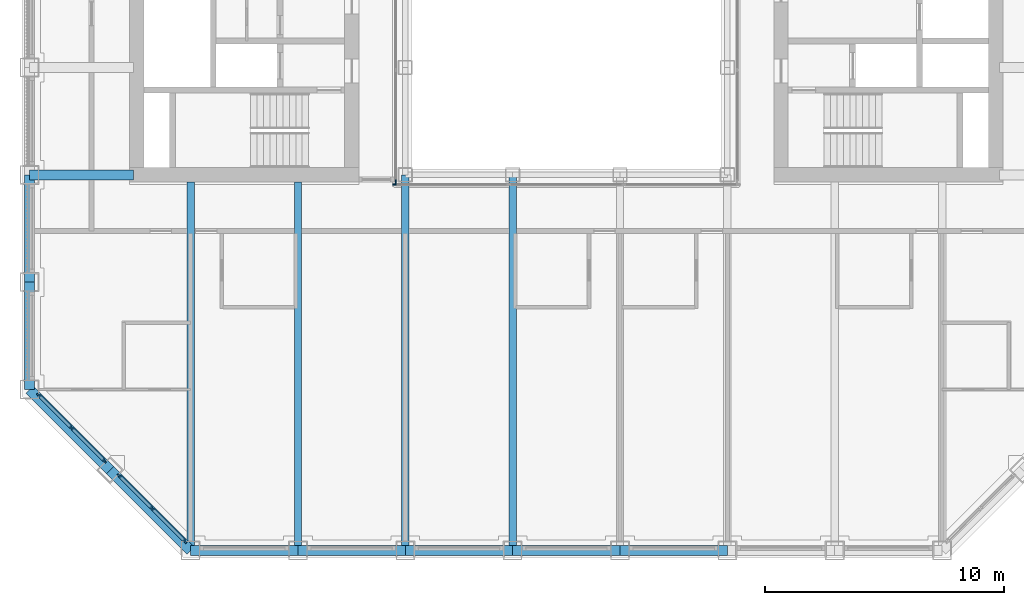
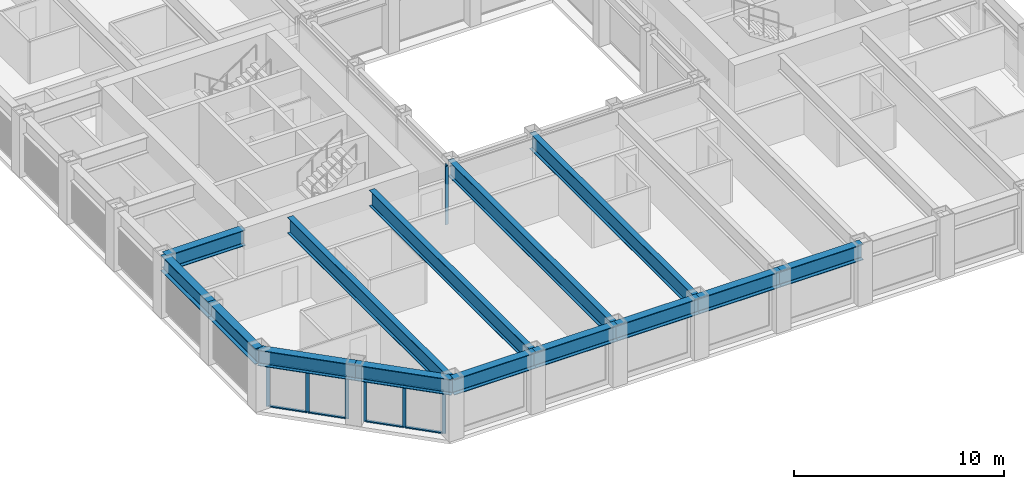
# One storey, part 2 of 17: 16 members, 14 beams, 4 elements without a shape of their own.
"""IFC4 building model written with IfcOpenShell, lengths in metres."""

from ifc_helpers import new_model, si_unit, direction, frame, origin, origin_2d, place, context, subcontext, project, spatial, rectangle, i_section, extrude, material, material_profile, profile_set, type_object, element, aggregate, save


model = new_model("IFC4")

# Units and contexts
model_context = context("Model", 3, precision=1e-05, world=origin(), true_north=direction((0.0, 1.0)))
body_context = subcontext(model_context, "Body", "Model", "MODEL_VIEW")
ifc_project = project(units=[si_unit("LENGTHUNIT", "METRE"), si_unit("AREAUNIT", "SQUARE_METRE"), si_unit("VOLUMEUNIT", "CUBIC_METRE"), si_unit("PLANEANGLEUNIT", "RADIAN"), si_unit("MASSUNIT", "GRAM", prefix="KILO")], contexts=[model_context])

# Site, building, storey
site_placement = place(None, origin())
site = spatial("IfcSite", under=ifc_project, at=site_placement, CompositionType="ELEMENT")
building_placement = place(site_placement, origin())
building = spatial("IfcBuilding", under=site, at=building_placement, Name="Msasa Ring Tower", CompositionType="ELEMENT")
storey_placement = place(building_placement, frame((0.0, 0.0, 161.60009765625)))
storey = spatial("IfcBuildingStorey", under=building, at=storey_placement, Name="L42", CompositionType="ELEMENT", Elevation=161.60009765625)

# Curtain wall, members
ifc_material_1 = material(Name="Aluminium curtain wall with clear glass", Category="aluminium")
curtain_wall_type_1 = type_object("IfcCurtainWallType", Name="CW-C CHAMFER CORNER CURTAIN WALL", PredefinedType="NOTDEFINED", material=ifc_material_1)
curtain_wall_1_placement = place(storey_placement, origin())
curtain_wall_1 = element("IfcCurtainWall", 1, at=curtain_wall_1_placement, inside=storey, type_object=curtain_wall_type_1, Name="Chamfer corner curtain wall SW L42", PredefinedType="NOTDEFINED")
ifc_material_2 = material(Name="Aluminium mullion", Category="aluminium")
ifc_material_profile_1 = material_profile(ifc_material_2, rectangle(XDim=0.06494140625, YDim=0.179931640625, at=origin_2d()), Name="AL 65x180")
ifc_profile_set_1 = profile_set([ifc_material_profile_1], Name="Aluminium mullion")
member_type_1 = type_object("IfcMemberType", Name="CW-C MULLION 65x180", PredefinedType="MULLION", material=ifc_profile_set_1)
member_1_placement = place(storey_placement, frame((-22.119873046875, -15.98876953125, 0.0), z_axis=(0.0, 0.0, 1.0), x_axis=(0.707106781187, 0.707106781187, 0.0)))
member_1 = element("IfcMember", 2, at=member_1_placement, type_object=member_type_1, Name="CW-C mullion 1", PredefinedType="MULLION", context=body_context, shape_type="SweptSolid", body=[
    extrude(rectangle(XDim=0.06494140625, YDim=0.179931640625, at=origin_2d()), origin(), (0.0, 0.0, 1.0), 2.47900390625),
])
member_2_placement = place(storey_placement, frame((-20.74169921875, -17.36669921875, 0.0), z_axis=(0.0, 0.0, 1.0), x_axis=(0.707106781187, 0.707106781187, 0.0)))
member_2 = element("IfcMember", 3, at=member_2_placement, type_object=member_type_1, Name="CW-C mullion 2", PredefinedType="MULLION", context=body_context, shape_type="SweptSolid", body=[
    extrude(rectangle(XDim=0.06494140625, YDim=0.179931640625, at=origin_2d()), origin(), (0.0, 0.0, 1.0), 2.47900390625),
])
member_3_placement = place(storey_placement, frame((-19.36376953125, -18.744873046875, 0.0), z_axis=(0.0, 0.0, 1.0), x_axis=(0.707106781187, 0.707106781187, 0.0)))
member_3 = element("IfcMember", 4, at=member_3_placement, type_object=member_type_1, Name="CW-C mullion 3", PredefinedType="MULLION", context=body_context, shape_type="SweptSolid", body=[
    extrude(rectangle(XDim=0.06494140625, YDim=0.179931640625, at=origin_2d()), origin(), (0.0, 0.0, 1.0), 2.47900390625),
])

curtain_wall_2_placement = place(storey_placement, origin())
curtain_wall_2 = element("IfcCurtainWall", 5, at=curtain_wall_2_placement, inside=storey, type_object=curtain_wall_type_1, Name="Chamfer corner curtain wall SW L42", PredefinedType="NOTDEFINED")
member_4_placement = place(storey_placement, frame((-18.744873046875, -19.36376953125, 0.0), z_axis=(0.0, 0.0, 1.0), x_axis=(0.707106781187, 0.707106781187, 0.0)))
member_4 = element("IfcMember", 6, at=member_4_placement, type_object=member_type_1, Name="CW-C mullion 1", PredefinedType="MULLION", context=body_context, shape_type="SweptSolid", body=[
    extrude(rectangle(XDim=0.06494140625, YDim=0.179931640625, at=origin_2d()), origin(), (0.0, 0.0, 1.0), 2.47900390625),
])
member_5_placement = place(storey_placement, frame((-17.36669921875, -20.74169921875, 0.0), z_axis=(0.0, 0.0, 1.0), x_axis=(0.707106781187, 0.707106781187, 0.0)))
member_5 = element("IfcMember", 7, at=member_5_placement, type_object=member_type_1, Name="CW-C mullion 2", PredefinedType="MULLION", context=body_context, shape_type="SweptSolid", body=[
    extrude(rectangle(XDim=0.06494140625, YDim=0.179931640625, at=origin_2d()), origin(), (0.0, 0.0, 1.0), 2.47900390625),
])
member_6_placement = place(storey_placement, frame((-15.98876953125, -22.119873046875, 0.0), z_axis=(0.0, 0.0, 1.0), x_axis=(0.707106781187, 0.707106781187, 0.0)))
member_6 = element("IfcMember", 8, at=member_6_placement, type_object=member_type_1, Name="CW-C mullion 3", PredefinedType="MULLION", context=body_context, shape_type="SweptSolid", body=[
    extrude(rectangle(XDim=0.06494140625, YDim=0.179931640625, at=origin_2d()), origin(), (0.0, 0.0, 1.0), 2.47900390625),
])

# Member
ifc_material_3 = material(Name="Aluminium transom", Category="aluminium")
ifc_material_profile_2 = material_profile(ifc_material_3, rectangle(XDim=0.139892578125, YDim=0.06494140625, at=origin_2d()), Name="AL 65x140")
ifc_profile_set_2 = profile_set([ifc_material_profile_2], Name="Aluminium transom")
member_type_2 = type_object("IfcMemberType", Name="CW-C TRANSOM 65x140", PredefinedType="USERDEFINED", material=ifc_profile_set_2)
member_7_placement = place(storey_placement, frame((-22.096923828125, -16.01171875, 0.032470703125), z_axis=(0.707106781187, -0.707106781187, 0.0), x_axis=(0.707106781187, 0.707106781187, 0.0)))
member_7 = element("IfcMember", 9, at=member_7_placement, type_object=member_type_2, Name="CW-C transom 1.1", ObjectType="TRANSOM", PredefinedType="USERDEFINED", context=body_context, shape_type="SweptSolid", body=[
    extrude(rectangle(XDim=0.139892578125, YDim=0.06494140625, at=origin_2d()), origin(), (0.0, 0.0, 1.0), 1.8837890625),
])

member_8_placement = place(storey_placement, frame((-22.096923828125, -16.01171875, 2.4462890625), z_axis=(0.707106781187, -0.707106781187, 0.0), x_axis=(0.707106781187, 0.707106781187, 0.0)))
member_8 = element("IfcMember", 10, at=member_8_placement, type_object=member_type_2, Name="CW-C transom 1.2", ObjectType="TRANSOM", PredefinedType="USERDEFINED", context=body_context, shape_type="SweptSolid", body=[
    extrude(rectangle(XDim=0.139892578125, YDim=0.06494140625, at=origin_2d()), origin(), (0.0, 0.0, 1.0), 1.8837890625),
])

member_9_placement = place(storey_placement, frame((-20.71875, -17.389892578125, 0.032470703125), z_axis=(0.707106781187, -0.707106781187, 0.0), x_axis=(0.707106781187, 0.707106781187, 0.0)))
member_9 = element("IfcMember", 11, at=member_9_placement, type_object=member_type_2, Name="CW-C transom 2.1", ObjectType="TRANSOM", PredefinedType="USERDEFINED", context=body_context, shape_type="SweptSolid", body=[
    extrude(rectangle(XDim=0.139892578125, YDim=0.06494140625, at=origin_2d()), origin(), (0.0, 0.0, 1.0), 1.8837890625),
])

member_10_placement = place(storey_placement, frame((-20.71875, -17.389892578125, 2.4462890625), z_axis=(0.707106781187, -0.707106781187, 0.0), x_axis=(0.707106781187, 0.707106781187, 0.0)))
member_10 = element("IfcMember", 12, at=member_10_placement, type_object=member_type_2, Name="CW-C transom 2.2", ObjectType="TRANSOM", PredefinedType="USERDEFINED", context=body_context, shape_type="SweptSolid", body=[
    extrude(rectangle(XDim=0.139892578125, YDim=0.06494140625, at=origin_2d()), origin(), (0.0, 0.0, 1.0), 1.8837890625),
])

aggregate(curtain_wall_1, [member_1, member_2, member_3, member_7, member_8, member_9, member_10])

member_11_placement = place(storey_placement, frame((-18.721923828125, -19.38671875, 0.032470703125), z_axis=(0.707106781187, -0.707106781187, 0.0), x_axis=(0.707106781187, 0.707106781187, 0.0)))
member_11 = element("IfcMember", 13, at=member_11_placement, type_object=member_type_2, Name="CW-C transom 1.1", ObjectType="TRANSOM", PredefinedType="USERDEFINED", context=body_context, shape_type="SweptSolid", body=[
    extrude(rectangle(XDim=0.139892578125, YDim=0.06494140625, at=origin_2d()), origin(), (0.0, 0.0, 1.0), 1.8837890625),
])

member_12_placement = place(storey_placement, frame((-18.721923828125, -19.38671875, 2.4462890625), z_axis=(0.707106781187, -0.707106781187, 0.0), x_axis=(0.707106781187, 0.707106781187, 0.0)))
member_12 = element("IfcMember", 14, at=member_12_placement, type_object=member_type_2, Name="CW-C transom 1.2", ObjectType="TRANSOM", PredefinedType="USERDEFINED", context=body_context, shape_type="SweptSolid", body=[
    extrude(rectangle(XDim=0.139892578125, YDim=0.06494140625, at=origin_2d()), origin(), (0.0, 0.0, 1.0), 1.8837890625),
])

member_13_placement = place(storey_placement, frame((-17.34375, -20.764892578125, 0.032470703125), z_axis=(0.707106781187, -0.707106781187, 0.0), x_axis=(0.707106781187, 0.707106781187, 0.0)))
member_13 = element("IfcMember", 15, at=member_13_placement, type_object=member_type_2, Name="CW-C transom 2.1", ObjectType="TRANSOM", PredefinedType="USERDEFINED", context=body_context, shape_type="SweptSolid", body=[
    extrude(rectangle(XDim=0.139892578125, YDim=0.06494140625, at=origin_2d()), origin(), (0.0, 0.0, 1.0), 1.8837890625),
])

member_14_placement = place(storey_placement, frame((-17.34375, -20.764892578125, 2.4462890625), z_axis=(0.707106781187, -0.707106781187, 0.0), x_axis=(0.707106781187, 0.707106781187, 0.0)))
member_14 = element("IfcMember", 16, at=member_14_placement, type_object=member_type_2, Name="CW-C transom 2.2", ObjectType="TRANSOM", PredefinedType="USERDEFINED", context=body_context, shape_type="SweptSolid", body=[
    extrude(rectangle(XDim=0.139892578125, YDim=0.06494140625, at=origin_2d()), origin(), (0.0, 0.0, 1.0), 1.8837890625),
])

aggregate(curtain_wall_2, [member_4, member_5, member_6, member_11, member_12, member_13, member_14])

# Curtain wall, member
ifc_material_4 = material(Name="Aluminium curtain wall with clear glass", Category="aluminium")
curtain_wall_type_2 = type_object("IfcCurtainWallType", Name="CW-W LIGHT WELL CURTAIN WALL", PredefinedType="NOTDEFINED", material=ifc_material_4)
curtain_wall_3_placement = place(storey_placement, origin())
curtain_wall_3 = element("IfcCurtainWall", 17, at=curtain_wall_3_placement, inside=storey, type_object=curtain_wall_type_2, Name="Light well curtain wall S L42", PredefinedType="NOTDEFINED")
ifc_material_5 = material(Name="Aluminium mullion", Category="aluminium")
ifc_material_profile_3 = material_profile(ifc_material_5, rectangle(XDim=0.06005859375, YDim=0.159912109375, at=origin_2d()), Name="AL 60x160")
ifc_profile_set_3 = profile_set([ifc_material_profile_3], Name="Aluminium mullion")
member_type_3 = type_object("IfcMemberType", Name="CW-W MULLION 60x160", PredefinedType="MULLION", material=ifc_profile_set_3)
member_15_placement = place(storey_placement, frame((-7.199951171875, -7.14990234375, 0.0), z_axis=(0.0, 0.0, 1.0), x_axis=(0.0, 1.0, 0.0)))
member_15 = element("IfcMember", 18, at=member_15_placement, type_object=member_type_3, Name="CW-W mullion 1", PredefinedType="MULLION", context=body_context, shape_type="SweptSolid", body=[
    extrude(rectangle(XDim=0.06005859375, YDim=0.159912109375, at=origin_2d()), origin(), (0.0, 0.0, 1.0), 3.39990234375),
])
aggregate(curtain_wall_3, [member_15])

curtain_wall_4_placement = place(storey_placement, origin())
curtain_wall_4 = element("IfcCurtainWall", 19, at=curtain_wall_4_placement, inside=storey, type_object=curtain_wall_type_2, Name="Light well curtain wall W L42", PredefinedType="NOTDEFINED")
member_16_placement = place(storey_placement, frame((-7.14990234375, -7.0400390625, 0.0), z_axis=(0.0, 0.0, 1.0), x_axis=(-1.0, 0.0, 0.0)))
member_16 = element("IfcMember", 20, at=member_16_placement, type_object=member_type_3, Name="CW-W mullion 1", PredefinedType="MULLION", context=body_context, shape_type="SweptSolid", body=[
    extrude(rectangle(XDim=0.06005859375, YDim=0.159912109375, at=origin_2d()), origin(), (0.0, 0.0, 1.0), 3.39990234375),
])
aggregate(curtain_wall_4, [member_16])

# Beams
ifc_material_6 = material(Name="Steel S355", Category="steel")
ifc_material_profile_4 = material_profile(ifc_material_6, i_section(OverallWidth=0.3076171875, OverallDepth=0.926513671875, WebThickness=0.01953125, FlangeThickness=0.031982421875, FilletRadius=0.01904296875, at=origin_2d()), Name="UB 914x305x289")
ifc_profile_set_4 = profile_set([ifc_material_profile_4], Name="Steel S355")
beam_type_1 = type_object("IfcBeamType", Name="FB3 UB 914x305x289", PredefinedType="BEAM", material=ifc_profile_set_4)
for number, where, z_axis, x_axis, name in (
    (21, (-15.75, -22.5, 2.9365234375), (0.0, 1.0, 0.0), (-1.0, 0.0, 0.0), "Floor beam S-15.75 under L43"),
    (22, (-11.25, -22.5, 2.9365234375), (0.0, 1.0, 0.0), (-1.0, 0.0, 0.0), "Floor beam S-11.25 under L43"),
):
    element("IfcBeam", number, at=place(storey_placement, frame(where, z_axis=z_axis, x_axis=x_axis)), inside=storey, type_object=beam_type_1, Name=name, PredefinedType="BEAM", context=body_context, shape_type="SweptSolid", body=[
        extrude(i_section(OverallWidth=0.3076171875, OverallDepth=0.926513671875, WebThickness=0.01953125, FlangeThickness=0.031982421875, FilletRadius=0.01904296875, at=origin_2d()), origin(), (0.0, 0.0, 1.0), 15.449951171875),
    ])
for number, where, z_axis, x_axis, name in (
    (23, (-6.75, -22.5, 2.9365234375), (0.0, 1.0, 0.0), (-1.0, 0.0, 0.0), "Floor beam S-6.75 under L43"),
    (24, (-2.25, -22.5, 2.9365234375), (0.0, 1.0, 0.0), (-1.0, 0.0, 0.0), "Floor beam S-2.25 under L43"),
):
    element("IfcBeam", number, at=place(storey_placement, frame(where, z_axis=z_axis, x_axis=x_axis)), inside=storey, type_object=beam_type_1, Name=name, PredefinedType="BEAM", context=body_context, shape_type="SweptSolid", body=[
        extrude(i_section(OverallWidth=0.3076171875, OverallDepth=0.926513671875, WebThickness=0.01953125, FlangeThickness=0.031982421875, FilletRadius=0.01904296875, at=origin_2d()), origin(), (0.0, 0.0, 1.0), 15.75),
    ])
ifc_material_7 = material(Name="Steel S355", Category="steel")
ifc_material_profile_5 = material_profile(ifc_material_7, i_section(OverallWidth=0.42041015625, OverallDepth=0.9208984375, WebThickness=0.021484375, FlangeThickness=0.03662109375, FilletRadius=0.024169921875, at=origin_2d()), Name="UB 914x419x388")
ifc_profile_set_5 = profile_set([ifc_material_profile_5], Name="Steel S355")
beam_type_2 = type_object("IfcBeamType", Name="GB1 UB 914x419x388", PredefinedType="BEAM", material=ifc_profile_set_5)
beam_placement = place(storey_placement, frame((-18.14990234375, -6.75, 2.939453125), z_axis=(-1.0, 0.0, 0.0), x_axis=(0.0, -1.0, 0.0)))
element("IfcBeam", 25, at=beam_placement, inside=storey, type_object=beam_type_2, Name="Girder W -6.75 under L43", PredefinedType="BEAM", context=body_context, shape_type="SweptSolid", body=[
    extrude(i_section(OverallWidth=0.42041015625, OverallDepth=0.9208984375, WebThickness=0.021484375, FlangeThickness=0.03662109375, FilletRadius=0.024169921875, at=origin_2d()), origin(), (0.0, 0.0, 1.0), 4.35009765625),
])
ifc_material_8 = material(Name="Steel S355", Category="steel")
ifc_material_profile_6 = material_profile(ifc_material_8, i_section(OverallWidth=0.42041015625, OverallDepth=0.9208984375, WebThickness=0.021484375, FlangeThickness=0.03662109375, FilletRadius=0.024169921875, at=origin_2d()), Name="UB 914x419x388")
ifc_profile_set_6 = profile_set([ifc_material_profile_6], Name="Steel S355")
beam_type_3 = type_object("IfcBeamType", Name="SB1 UB 914x419x388", PredefinedType="SPANDREL", material=ifc_profile_set_6)
for number, where, z_axis, x_axis, name in (
    (26, (-22.5, -6.75, 2.939453125), (0.0, -1.0, 0.0), (1.0, 0.0, 0.0), "Spandrel W-6.75 to W-11.25 under L43"),
    (27, (-22.5, -11.25, 2.939453125), (0.0, -1.0, 0.0), (1.0, 0.0, 0.0), "Spandrel W-11.25 to W-15.75 under L43"),
):
    element("IfcBeam", number, at=place(storey_placement, frame(where, z_axis=z_axis, x_axis=x_axis)), inside=storey, type_object=beam_type_3, Name=name, PredefinedType="SPANDREL", context=body_context, shape_type="SweptSolid", body=[
        extrude(i_section(OverallWidth=0.42041015625, OverallDepth=0.9208984375, WebThickness=0.021484375, FlangeThickness=0.03662109375, FilletRadius=0.024169921875, at=origin_2d()), origin(), (0.0, 0.0, 1.0), 4.5),
    ])
for number, where, z_axis, x_axis, name in (
    (28, (-22.5, -15.75, 2.939453125), (0.707106781187, -0.707106781187, 0.0), (0.707106781187, 0.707106781187, 0.0), "Spandrel W-15.75 to SW under L43"),
    (29, (-19.125, -19.125, 2.939453125), (0.707106781187, -0.707106781187, 0.0), (0.707106781187, 0.707106781187, 0.0), "Spandrel SW to S-15.75 under L43"),
):
    element("IfcBeam", number, at=place(storey_placement, frame(where, z_axis=z_axis, x_axis=x_axis)), inside=storey, type_object=beam_type_3, Name=name, PredefinedType="SPANDREL", context=body_context, shape_type="SweptSolid", body=[
        extrude(i_section(OverallWidth=0.42041015625, OverallDepth=0.9208984375, WebThickness=0.021484375, FlangeThickness=0.03662109375, FilletRadius=0.024169921875, at=origin_2d()), origin(), (0.0, 0.0, 1.0), 4.77294921875),
    ])
for number, where, z_axis, x_axis, name in (
    (30, (-15.75, -22.5, 2.939453125), (1.0, 0.0, 0.0), (0.0, 1.0, 0.0), "Spandrel S-15.75 to S-11.25 under L43"),
    (31, (-11.25, -22.5, 2.939453125), (1.0, 0.0, 0.0), (0.0, 1.0, 0.0), "Spandrel S-11.25 to S-6.75 under L43"),
    (32, (-6.75, -22.5, 2.939453125), (1.0, 0.0, 0.0), (0.0, 1.0, 0.0), "Spandrel S-6.75 to S-2.25 under L43"),
    (33, (-2.25, -22.5, 2.939453125), (1.0, 0.0, 0.0), (0.0, 1.0, 0.0), "Spandrel S-2.25 to S+2.25 under L43"),
    (34, (2.25, -22.5, 2.939453125), (1.0, 0.0, 0.0), (0.0, 1.0, 0.0), "Spandrel S+2.25 to S+6.75 under L43"),
):
    element("IfcBeam", number, at=place(storey_placement, frame(where, z_axis=z_axis, x_axis=x_axis)), inside=storey, type_object=beam_type_3, Name=name, PredefinedType="SPANDREL", context=body_context, shape_type="SweptSolid", body=[
        extrude(i_section(OverallWidth=0.42041015625, OverallDepth=0.9208984375, WebThickness=0.021484375, FlangeThickness=0.03662109375, FilletRadius=0.024169921875, at=origin_2d()), origin(), (0.0, 0.0, 1.0), 4.5),
    ])

save(model, "model.ifc")
